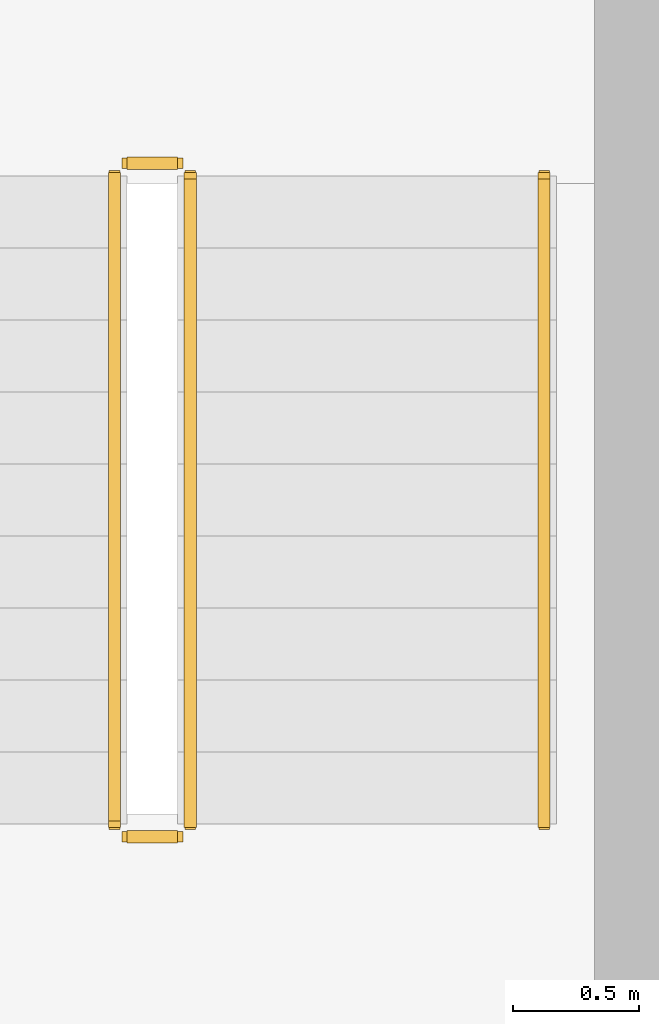
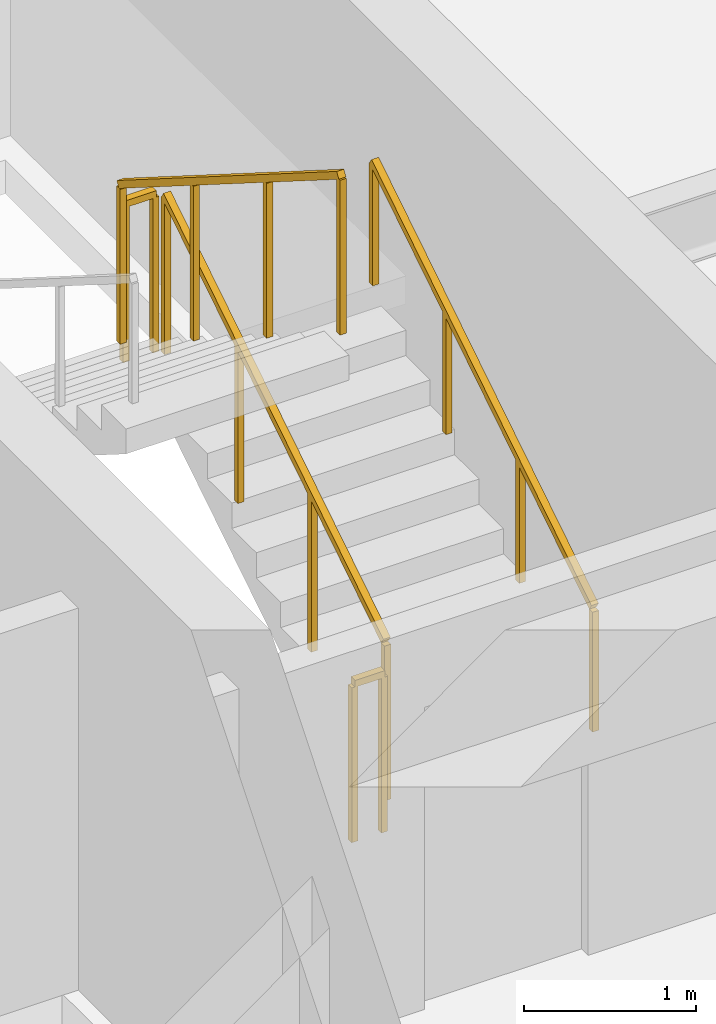
# One storey, part 22 of 22: 5 railings.
"""IFC4 building model written with IfcOpenShell, lengths in metres."""

import ifcopenshell
import ifcopenshell.guid

model = None  # the IFC model being written
_history = None  # IfcOwnerHistory: only IFC2X3 demands one
_inside = {}  # id of a spatial element -> (the spatial element, [elements in it])
_under = {}  # id of a project, library or spatial element -> (it, [spatial elements below it])
_declared = {}  # id of a project -> (the project, [libraries it declares])
_typed = {}  # id of a type object -> (the type object, [elements of that type])
_made_of = {}  # id of a material, layer set ... -> (it, [elements and type objects made of it])


def new_model(schema):
    """Start an empty IFC model of exactly this schema.

    Asked for "IFC4X3", IfcOpenShell would pick the latest addendum, in which some entities
    have other attributes; the version numbers below select the first issue.
    IFC2X3 requires an IfcOwnerHistory on every rooted entity: one is made here for all.
    """
    global model, _history
    if schema == "IFC4X3":
        model = ifcopenshell.file(schema_version=(4, 3, 0, 0))
    else:
        model = ifcopenshell.file(schema=schema)
    _inside.clear()
    _under.clear()
    _declared.clear()
    _typed.clear()
    _made_of.clear()
    _history = None
    if model.schema == "IFC2X3":
        org = make("IfcOrganization", Name="unknown")
        user = make(
            "IfcPersonAndOrganization",
            ThePerson=make("IfcPerson", FamilyName="unknown"),
            TheOrganization=org,
        )
        app = make(
            "IfcApplication",
            ApplicationDeveloper=org,
            Version="unknown",
            ApplicationFullName="unknown",
            ApplicationIdentifier="unknown",
        )
        _history = make(
            "IfcOwnerHistory",
            OwningUser=user,
            OwningApplication=app,
            ChangeAction="ADDED",
            CreationDate=0,
        )
    return model


def make(cls, **values):
    """One entity of the class cls with the attributes given. An attribute that is None is left unset."""
    return model.create_entity(
        cls, **{name: value for name, value in values.items() if value is not None}
    )


def rooted(cls, **values):
    """An entity with a GlobalId (a new one), such as an element, a storey or a relation."""
    return make(cls, GlobalId=ifcopenshell.guid.new(), OwnerHistory=_history, **values)


def si_unit(unit_type, name, prefix=None):
    """IfcSIUnit, for example si_unit("LENGTHUNIT", "METRE", prefix="MILLI")."""
    return make("IfcSIUnit", UnitType=unit_type, Prefix=prefix, Name=name)


def assignment(units):
    """IfcUnitAssignment: the units of a project."""
    return None if units is None else make("IfcUnitAssignment", Units=units)


def point(xyz):
    """IfcCartesianPoint."""
    return None if xyz is None else make("IfcCartesianPoint", Coordinates=xyz)


def direction(xyz):
    """IfcDirection."""
    return None if xyz is None else make("IfcDirection", DirectionRatios=xyz)


def frame(location, z_axis=None, x_axis=None):
    """IfcAxis2Placement3D, a coordinate frame: its origin and axes. An axis left out is left unset."""
    return make(
        "IfcAxis2Placement3D",
        Location=point(location),
        Axis=direction(z_axis),
        RefDirection=direction(x_axis),
    )


def frame_2d(location, x_axis=None):
    """IfcAxis2Placement2D, a coordinate frame in the plane: its origin and x axis."""
    return make(
        "IfcAxis2Placement2D", Location=point(location), RefDirection=direction(x_axis)
    )


def origin():
    """The frame at (0, 0, 0) with its axes left unset."""
    return frame((0.0, 0.0, 0.0))


def origin_2d():
    """The frame at (0, 0) in the plane with its x axis left unset."""
    return frame_2d((0.0, 0.0))


def place(relative_to, where):
    """IfcLocalPlacement: puts the frame where relative to a parent placement (None: the world)."""
    return make(
        "IfcLocalPlacement", PlacementRelTo=relative_to, RelativePlacement=where
    )


def context(
    kind, dimensions, precision=None, world=None, true_north=None, identifier=None
):
    """IfcGeometricRepresentationContext, for example the 3D "Model" context."""
    return make(
        "IfcGeometricRepresentationContext",
        ContextIdentifier=identifier,
        ContextType=kind,
        CoordinateSpaceDimension=dimensions,
        Precision=precision,
        WorldCoordinateSystem=world,
        TrueNorth=true_north,
    )


def subcontext(parent, identifier, kind, view, scale=None):
    """IfcGeometricRepresentationSubContext, for example "Body" below "Model"."""
    return make(
        "IfcGeometricRepresentationSubContext",
        ContextIdentifier=identifier,
        ContextType=kind,
        ParentContext=parent,
        TargetScale=scale,
        TargetView=view,
    )


def project(units=None, contexts=None):
    """IfcProject with its units and contexts."""
    return rooted(
        "IfcProject",
        Name="project",
        RepresentationContexts=contexts,
        UnitsInContext=assignment(units),
    )


def spatial(cls, under=None, at=None, **own):
    """A site, building, storey or space (cls), placed at a placement, below another one or the project."""
    s = rooted(cls, ObjectPlacement=at, **own)
    if under is not None:
        _under.setdefault(under.id(), (under, []))[1].append(s)
    return s


def profile(cls, at=None, kind="AREA", **sizes):
    """A parametric profile (cls). Its sizes go by their IFC names, for example OverallWidth=200.0."""
    return make(cls, ProfileType=kind, Position=at, **sizes)


def rectangle(**sizes):
    """IfcRectangleProfileDef."""
    return profile("IfcRectangleProfileDef", **sizes)


def extrude(swept, where, along, depth):
    """IfcExtrudedAreaSolid: the profile swept, set in the frame where, extruded along a direction by depth."""
    return make(
        "IfcExtrudedAreaSolid",
        SweptArea=swept,
        Position=where,
        ExtrudedDirection=direction(along),
        Depth=depth,
    )


def shape(context_of_items, identifier, shape_type, items):
    """IfcShapeRepresentation: the items that make up one representation, for example the "Body"."""
    return make(
        "IfcShapeRepresentation",
        ContextOfItems=context_of_items,
        RepresentationIdentifier=identifier,
        RepresentationType=shape_type,
        Items=items,
    )


def material(Name=None, Category=None):
    """IfcMaterial."""
    return make("IfcMaterial", Name=Name, Category=Category)


def made_of(thing, what):
    """Note that an element or type object is made of a material, layer set ...; save() writes the relation."""
    if what is not None:
        _made_of.setdefault(what.id(), (what, []))[1].append(thing)
    return thing


def type_object(cls, material=None, **own):
    """A type object (cls), such as IfcWallType, which elements share."""
    return made_of(rooted(cls, **own), material)


def element(
    cls,
    number,
    at=None,
    inside=None,
    cuts=None,
    type_object=None,
    material=None,
    context=None,
    identifier="Body",
    shape_type=None,
    held_by="IfcProductDefinitionShape",
    body=None,
    shapes=None,
    **own,
):
    """One element of the class cls, such as IfcWall. Its Tag is "e" and its number.

    at: its placement. inside: the storey or other place that contains it. cuts: it is an
    opening in that element (IfcRelVoidsElement). A single representation is given by context,
    identifier, shape_type and body (its items); several are given by shapes. held_by: the class
    of the entity that holds the representations. save() writes the other relations.
    """
    e = rooted(cls, Tag="e%d" % number, ObjectPlacement=at, **own)
    if body is not None:
        shapes = [shape(context, identifier, shape_type, body)]
    if shapes is not None:
        e.Representation = make(held_by, Representations=shapes)
    if inside is not None:
        _inside.setdefault(inside.id(), (inside, []))[1].append(e)
    if cuts is not None:
        rooted(
            "IfcRelVoidsElement", RelatingBuildingElement=cuts, RelatedOpeningElement=e
        )
    if type_object is not None:
        _typed.setdefault(type_object.id(), (type_object, []))[1].append(e)
    return made_of(e, material)


def aggregate(whole, parts):
    """IfcRelAggregates: a whole, such as a stair, and the parts it consists of."""
    return rooted("IfcRelAggregates", RelatingObject=whole, RelatedObjects=parts)


def save(model, path):
    """Write the relations noted so far, then the file.

    IfcRelAggregates (storeys below a building ...), IfcRelContainedInSpatialStructure (elements
    in a storey), IfcRelDefinesByType, IfcRelAssociatesMaterial and IfcRelDeclares: one each for
    every whole, place, type object, material and project.
    """
    for whole, parts in _under.values():
        aggregate(whole, parts)
    for where, things in _inside.values():
        rooted(
            "IfcRelContainedInSpatialStructure",
            RelatedElements=things,
            RelatingStructure=where,
        )
    for kind, things in _typed.values():
        rooted("IfcRelDefinesByType", RelatedObjects=things, RelatingType=kind)
    for what, things in _made_of.values():
        rooted("IfcRelAssociatesMaterial", RelatedObjects=things, RelatingMaterial=what)
    for by, libraries in _declared.values():
        rooted("IfcRelDeclares", RelatingContext=by, RelatedDefinitions=libraries)
    model.write(path)


model = new_model("IFC4")

# Units and contexts
model_context = context("Model", 3, precision=1e-05, world=origin(), true_north=direction((0.0, 1.0)))
body_context = subcontext(model_context, "Body", "Model", "MODEL_VIEW")
ifc_project = project(units=[si_unit("LENGTHUNIT", "METRE"), si_unit("AREAUNIT", "SQUARE_METRE"), si_unit("VOLUMEUNIT", "CUBIC_METRE"), si_unit("PLANEANGLEUNIT", "RADIAN"), si_unit("MASSUNIT", "GRAM", prefix="KILO")], contexts=[model_context])

# Site, building, storey
site_placement = place(None, origin())
site = spatial("IfcSite", under=ifc_project, at=site_placement, CompositionType="ELEMENT")
building_placement = place(site_placement, origin())
building = spatial("IfcBuilding", under=site, at=building_placement, Name="Sarneth Arch Tower", CompositionType="ELEMENT")
storey_placement = place(building_placement, frame((0.0, 0.0, 210.0)))
storey = spatial("IfcBuildingStorey", under=building, at=storey_placement, Name="L53", CompositionType="ELEMENT", Elevation=210.0)

# Railings
ifc_material_1 = material(Name="Brushed Stainless Steel 304 tubular handrail", Category="steel")
railing_type_1 = type_object("IfcRailingType", Name="RAIL-HANDRAIL-900", PredefinedType="HANDRAIL", material=ifc_material_1)
railing_1_placement = place(storey_placement, frame((58.60009765625, 41.449951171875, 0.179931640625)))
element("IfcRailing", 1, at=railing_1_placement, inside=storey, type_object=railing_type_1, Name="L53 ST-2 stair handrail 1", PredefinedType="HANDRAIL", context=body_context, shape_type="SweptSolid", body=[
    extrude(rectangle(XDim=0.048095703125, YDim=0.048095703125, at=origin_2d()), frame((0.0, 0.0, 0.8759765625), z_axis=(0.0, 0.845465955043, 0.534029323973), x_axis=(-1.0, 0.0, 0.0)), (0.0, 0.0, 1.0), 3.03369140625),
    extrude(rectangle(XDim=0.0419921875, YDim=0.0419921875, at=origin_2d()), origin(), (0.0, 0.0, 1.0), 0.851806640625),
    extrude(rectangle(XDim=0.0419921875, YDim=0.0419921875, at=origin_2d()), frame((0.0, 0.85498046875, 0.5400390625)), (0.0, 0.0, 1.0), 0.851806640625),
    extrude(rectangle(XDim=0.0419921875, YDim=0.0419921875, at=origin_2d()), frame((0.0, 1.7099609375, 1.080078125)), (0.0, 0.0, 1.0), 0.851806640625),
    extrude(rectangle(XDim=0.0419921875, YDim=0.0419921875, at=origin_2d()), frame((0.0, 2.56494140625, 1.6201171875)), (0.0, 0.0, 1.0), 0.851806640625),
])
ifc_material_2 = material(Name="Painted Steel S275 stair well guard", Category="steel")
railing_type_2 = type_object("IfcRailingType", Name="RAIL-STAIR-GUARD", PredefinedType="GUARDRAIL", material=ifc_material_2)
railing_2_placement = place(storey_placement, frame((57.199951171875, 41.449951171875, 0.179931640625)))
element("IfcRailing", 2, at=railing_2_placement, inside=storey, type_object=railing_type_2, Name="L53 ST-2 stair guard 1", PredefinedType="GUARDRAIL", context=body_context, shape_type="SweptSolid", body=[
    extrude(rectangle(XDim=0.048095703125, YDim=0.048095703125, at=origin_2d()), frame((0.0, 0.0, 1.1259765625), z_axis=(0.0, 0.845465955043, 0.534029323973), x_axis=(-1.0, 0.0, 0.0)), (0.0, 0.0, 1.0), 3.03369140625),
    extrude(rectangle(XDim=0.0419921875, YDim=0.0419921875, at=origin_2d()), origin(), (0.0, 0.0, 1.0), 1.101806640625),
    extrude(rectangle(XDim=0.0419921875, YDim=0.0419921875, at=origin_2d()), frame((0.0, 0.85498046875, 0.5400390625)), (0.0, 0.0, 1.0), 1.101806640625),
    extrude(rectangle(XDim=0.0419921875, YDim=0.0419921875, at=origin_2d()), frame((0.0, 1.7099609375, 1.080078125)), (0.0, 0.0, 1.0), 1.101806640625),
    extrude(rectangle(XDim=0.0419921875, YDim=0.0419921875, at=origin_2d()), frame((0.0, 2.56494140625, 1.6201171875)), (0.0, 0.0, 1.0), 1.101806640625),
])
railing_3_placement = place(storey_placement, frame((57.14990234375, 44.06494140625, 1.800048828125)))
element("IfcRailing", 3, at=railing_3_placement, inside=storey, type_object=railing_type_2, Name="L53 ST-2 stair guard 2", PredefinedType="GUARDRAIL", context=body_context, shape_type="SweptSolid", body=[
    extrude(rectangle(XDim=0.048095703125, YDim=0.048095703125, at=origin_2d()), frame((0.0, 0.0, 1.1259765625), z_axis=(-1.0, 0.0, 0.0), x_axis=(0.0, -1.0, 0.0)), (0.0, 0.0, 1.0), 0.199951171875),
    extrude(rectangle(XDim=0.0419921875, YDim=0.0419921875, at=origin_2d()), origin(), (0.0, 0.0, 1.0), 1.101806640625),
    extrude(rectangle(XDim=0.0419921875, YDim=0.0419921875, at=origin_2d()), frame((-0.199951171875, 0.0, 0.0)), (0.0, 0.0, 1.0), 1.101806640625),
])
railing_4_placement = place(storey_placement, frame((56.89990234375, 44.014892578125, 1.97998046875)))
element("IfcRailing", 4, at=railing_4_placement, inside=storey, type_object=railing_type_2, Name="L53 ST-2 stair guard 3", PredefinedType="GUARDRAIL", context=body_context, shape_type="SweptSolid", body=[
    extrude(rectangle(XDim=0.048095703125, YDim=0.048095703125, at=origin_2d()), frame((0.0, 0.0, 1.1259765625), z_axis=(0.0, -0.845465955043, 0.534029323973), x_axis=(1.0, 0.0, 0.0)), (0.0, 0.0, 1.0), 3.03369140625),
    extrude(rectangle(XDim=0.0419921875, YDim=0.0419921875, at=origin_2d()), origin(), (0.0, 0.0, 1.0), 1.101806640625),
    extrude(rectangle(XDim=0.0419921875, YDim=0.0419921875, at=origin_2d()), frame((0.0, -0.85498046875, 0.5400390625)), (0.0, 0.0, 1.0), 1.101806640625),
    extrude(rectangle(XDim=0.0419921875, YDim=0.0419921875, at=origin_2d()), frame((0.0, -1.7099609375, 1.080078125)), (0.0, 0.0, 1.0), 1.101806640625),
    extrude(rectangle(XDim=0.0419921875, YDim=0.0419921875, at=origin_2d()), frame((0.0, -2.56494140625, 1.6201171875)), (0.0, 0.0, 1.0), 1.101806640625),
])
railing_5_placement = place(storey_placement, frame((57.14990234375, 41.39990234375, 0.0)))
element("IfcRailing", 5, at=railing_5_placement, inside=storey, type_object=railing_type_2, Name="L53 ST-2 stair guard 4", PredefinedType="GUARDRAIL", context=body_context, shape_type="SweptSolid", body=[
    extrude(rectangle(XDim=0.048095703125, YDim=0.048095703125, at=origin_2d()), frame((0.0, 0.0, 1.1259765625), z_axis=(-1.0, 0.0, 0.0), x_axis=(0.0, -1.0, 0.0)), (0.0, 0.0, 1.0), 0.199951171875),
    extrude(rectangle(XDim=0.0419921875, YDim=0.0419921875, at=origin_2d()), origin(), (0.0, 0.0, 1.0), 1.101806640625),
    extrude(rectangle(XDim=0.0419921875, YDim=0.0419921875, at=origin_2d()), frame((-0.199951171875, 0.0, 0.0)), (0.0, 0.0, 1.0), 1.101806640625),
])

save(model, "model.ifc")
